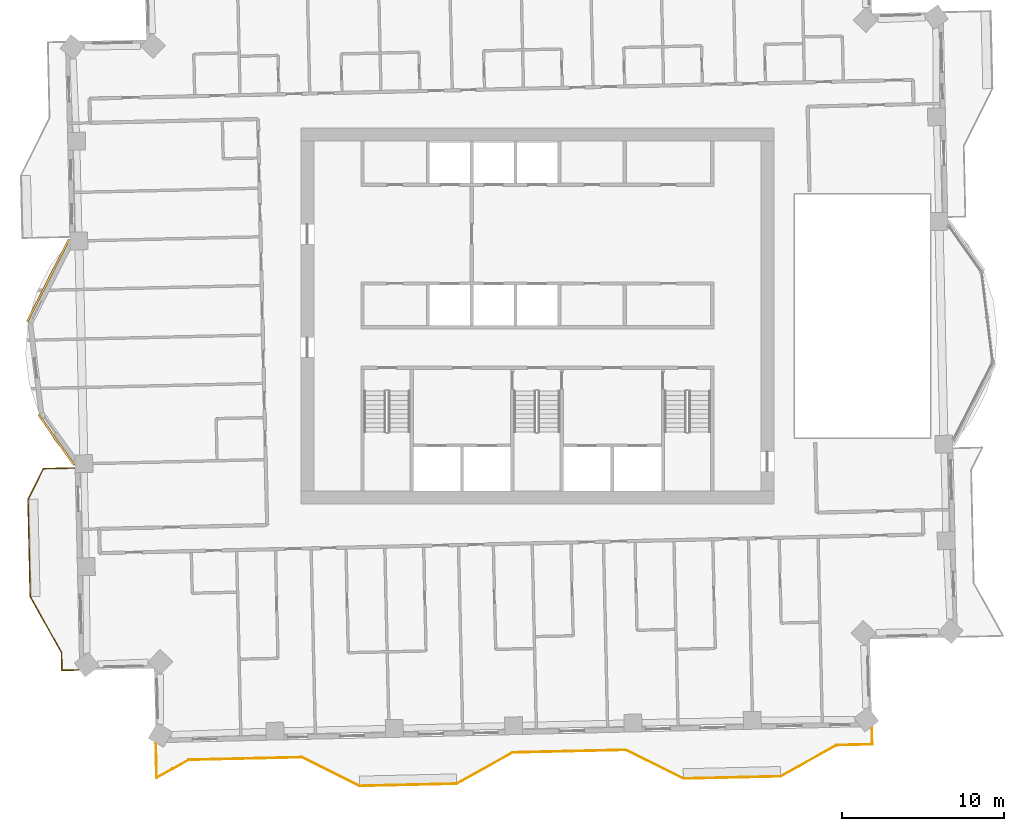
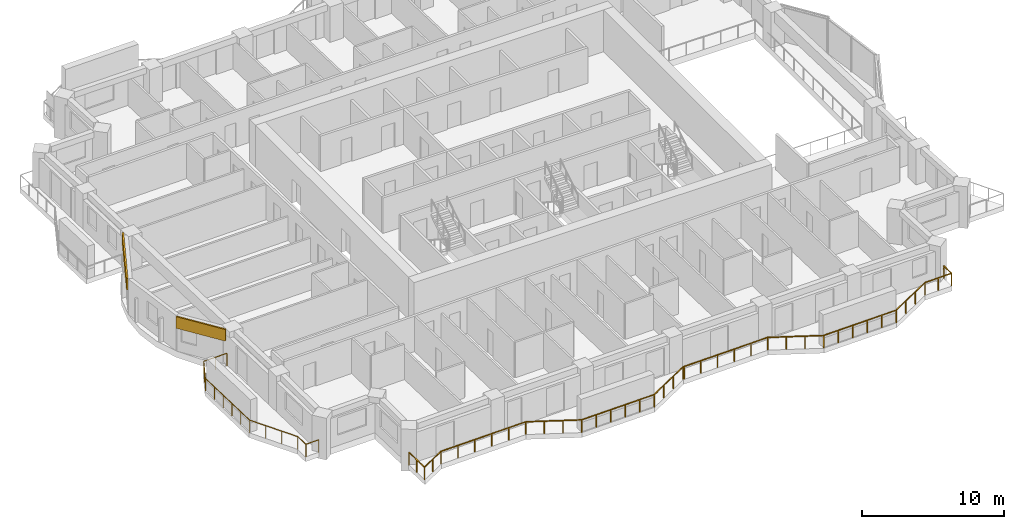
# One storey, part 14 of 17: 2 coverings, 2 railings.
"""IFC4 building model written with IfcOpenShell, lengths in metres."""

from ifc_helpers import new_model, si_unit, direction, frame, frame_2d, origin, origin_2d, place, context, subcontext, project, spatial, rectangle, extrude, material, layer, layer_set, type_object, element, save


model = new_model("IFC4")

# Units and contexts
model_context = context("Model", 3, precision=1e-05, world=origin(), true_north=direction((0.0, 1.0)))
body_context = subcontext(model_context, "Body", "Model", "MODEL_VIEW")
ifc_project = project(units=[si_unit("LENGTHUNIT", "METRE"), si_unit("AREAUNIT", "SQUARE_METRE"), si_unit("VOLUMEUNIT", "CUBIC_METRE"), si_unit("PLANEANGLEUNIT", "RADIAN"), si_unit("MASSUNIT", "GRAM", prefix="KILO")], contexts=[model_context])

# Site, building, storey
site_placement = place(None, origin())
site = spatial("IfcSite", under=ifc_project, at=site_placement, CompositionType="ELEMENT")
building_placement = place(site_placement, origin())
building = spatial("IfcBuilding", under=site, at=building_placement, Name="Mangrove Gate Tower", CompositionType="ELEMENT")
storey_placement = place(building_placement, frame((0.0, 0.0, 234.699951171875)))
storey = spatial("IfcBuildingStorey", under=building, at=storey_placement, Name="L59", CompositionType="ELEMENT", Elevation=234.699951171875)

# Railings
ifc_material_1 = material(Name="Stainless steel grade 316 with laminated glass infill", Category="steel")
railing_type = type_object("IfcRailingType", Name="Balcony guard 1100", PredefinedType="GUARDRAIL", material=ifc_material_1)
railing_1_placement = place(storey_placement, frame((-28.574951171875, -9.388916015625, 0.0)))
element("IfcRailing", 1, at=railing_1_placement, inside=storey, type_object=railing_type, Name="GUARD L59 W2", PredefinedType="GUARDRAIL", context=body_context, shape_type="SweptSolid", body=[
    extrude(rectangle(XDim=0.048095703125, YDim=0.048095703125, at=origin_2d()), frame((0.0, 0.0, 1.076171875), z_axis=(-0.999734961248, -0.023021886512, 0.0), x_axis=(0.023021886512, -0.999734961248, 0.0)), (0.0, 0.0, 1.0), 1.91943359375),
    extrude(rectangle(XDim=0.048095703125, YDim=0.048095703125, at=origin_2d()), frame((-1.9189453125, -0.044189453125, 1.076171875), z_axis=(-0.4472135955, -0.894427191, 0.0), x_axis=(0.894427191, -0.4472135955, 0.0)), (0.0, 0.0, 1.0), 2.119873046875),
    extrude(rectangle(XDim=0.048095703125, YDim=0.048095703125, at=origin_2d()), frame((-2.866943359375, -1.940185546875, 1.076171875), z_axis=(0.022663177671, -0.999743157205, 0.0), x_axis=(0.999743157205, 0.022663177671, 0.0)), (0.0, 0.0, 1.0), 6.000244140625),
    extrude(rectangle(XDim=0.048095703125, YDim=0.048095703125, at=origin_2d()), frame((-2.73095703125, -7.93896484375, 1.076171875), z_axis=(0.48726008209, -0.87325689943, 0.0), x_axis=(0.87325689943, 0.48726008209, 0.0)), (0.0, 0.0, 1.0), 3.958740234375),
    extrude(rectangle(XDim=0.048095703125, YDim=0.048095703125, at=origin_2d()), frame((-0.802001953125, -11.39599609375, 1.076171875), z_axis=(0.022630687329, -0.9997438932, 0.0), x_axis=(0.9997438932, 0.022630687329, 0.0)), (0.0, 0.0, 1.0), 1.100341796875),
    extrude(rectangle(XDim=0.048095703125, YDim=0.048095703125, at=origin_2d()), frame((-0.777099609375, -12.49609375, 1.076171875), z_axis=(0.999745389313, 0.022564497502, 0.0), x_axis=(-0.022564497502, 0.999745389313, 0.0)), (0.0, 0.0, 1.0), 1.060302734375),
    extrude(rectangle(XDim=0.0419921875, YDim=0.0419921875, at=origin_2d()), origin(), (0.0, 0.0, 1.0), 1.052001953125),
    extrude(rectangle(XDim=0.0419921875, YDim=0.0419921875, at=origin_2d()), frame((-0.95947265625, -0.02197265625, 0.0)), (0.0, 0.0, 1.0), 1.052001953125),
    extrude(rectangle(XDim=0.0419921875, YDim=0.0419921875, at=origin_2d()), frame((-1.9189453125, -0.044189453125, 0.0)), (0.0, 0.0, 1.0), 1.052001953125),
    extrude(rectangle(XDim=0.0419921875, YDim=0.0419921875, at=origin_2d()), frame((-2.39306640625, -0.9921875, 0.0)), (0.0, 0.0, 1.0), 1.052001953125),
    extrude(rectangle(XDim=0.0419921875, YDim=0.0419921875, at=origin_2d()), frame((-2.866943359375, -1.940185546875, 0.0)), (0.0, 0.0, 1.0), 1.052001953125),
    extrude(rectangle(XDim=0.0419921875, YDim=0.0419921875, at=origin_2d()), frame((-2.83984375, -3.139892578125, 0.0)), (0.0, 0.0, 1.0), 1.052001953125),
    extrude(rectangle(XDim=0.0419921875, YDim=0.0419921875, at=origin_2d()), frame((-2.8125, -4.339599609375, 0.0)), (0.0, 0.0, 1.0), 1.052001953125),
    extrude(rectangle(XDim=0.0419921875, YDim=0.0419921875, at=origin_2d()), frame((-2.785400390625, -5.53955078125, 0.0)), (0.0, 0.0, 1.0), 1.052001953125),
    extrude(rectangle(XDim=0.0419921875, YDim=0.0419921875, at=origin_2d()), frame((-2.758056640625, -6.7392578125, 0.0)), (0.0, 0.0, 1.0), 1.052001953125),
    extrude(rectangle(XDim=0.0419921875, YDim=0.0419921875, at=origin_2d()), frame((-2.73095703125, -7.93896484375, 0.0)), (0.0, 0.0, 1.0), 1.052001953125),
    extrude(rectangle(XDim=0.0419921875, YDim=0.0419921875, at=origin_2d()), frame((-2.087890625, -9.09130859375, 0.0)), (0.0, 0.0, 1.0), 1.052001953125),
    extrude(rectangle(XDim=0.0419921875, YDim=0.0419921875, at=origin_2d()), frame((-1.445068359375, -10.24365234375, 0.0)), (0.0, 0.0, 1.0), 1.052001953125),
    extrude(rectangle(XDim=0.0419921875, YDim=0.0419921875, at=origin_2d()), frame((-0.802001953125, -11.39599609375, 0.0)), (0.0, 0.0, 1.0), 1.052001953125),
    extrude(rectangle(XDim=0.0419921875, YDim=0.0419921875, at=origin_2d()), frame((-0.777099609375, -12.49609375, 0.0)), (0.0, 0.0, 1.0), 1.052001953125),
    extrude(rectangle(XDim=0.0419921875, YDim=0.0419921875, at=origin_2d()), frame((0.282958984375, -12.47216796875, 0.0)), (0.0, 0.0, 1.0), 1.052001953125),
])
railing_2_placement = place(storey_placement, frame((-23.548095703125, -26.39404296875, 0.0)))
element("IfcRailing", 2, at=railing_2_placement, inside=storey, type_object=railing_type, Name="GUARD L59 S1", PredefinedType="GUARDRAIL", context=body_context, shape_type="SweptSolid", body=[
    extrude(rectangle(XDim=0.048095703125, YDim=0.048095703125, at=origin_2d()), frame((0.0, 0.0, 1.076171875), z_axis=(0.022692622467, -0.999742489287, 0.0), x_axis=(0.999742489287, 0.022692622467, 0.0)), (0.0, 0.0, 1.0), 2.119384765625),
    extrude(rectangle(XDim=0.048095703125, YDim=0.048095703125, at=origin_2d()), frame((0.048095703125, -2.118896484375, 1.076171875), z_axis=(0.87330217406, 0.487178933025, 0.0), x_axis=(-0.487178933025, 0.87330217406, 0.0)), (0.0, 0.0, 1.0), 2.26611328125),
    extrude(rectangle(XDim=0.048095703125, YDim=0.048095703125, at=origin_2d()), frame((2.027099609375, -1.014892578125, 1.076171875), z_axis=(0.999742195543, 0.022705559911, 0.0), x_axis=(-0.022705559911, 0.999742195543, 0.0)), (0.0, 0.0, 1.0), 6.999755859375),
    extrude(rectangle(XDim=0.048095703125, YDim=0.048095703125, at=origin_2d()), frame((9.025146484375, -0.85595703125, 1.076171875), z_axis=(0.894476522376, -0.447114919141, 0.0), x_axis=(0.447114919141, 0.894476522376, 0.0)), (0.0, 0.0, 1.0), 3.958740234375),
    extrude(rectangle(XDim=0.048095703125, YDim=0.048095703125, at=origin_2d()), frame((12.566162109375, -2.6259765625, 1.076171875), z_axis=(0.999743178102, 0.022662255828, 0.0), x_axis=(-0.022662255828, 0.999743178102, 0.0)), (0.0, 0.0, 1.0), 6.00048828125),
    extrude(rectangle(XDim=0.048095703125, YDim=0.048095703125, at=origin_2d()), frame((18.565185546875, -2.489990234375, 1.076171875), z_axis=(0.87325689943, 0.48726008209, 0.0), x_axis=(-0.48726008209, 0.87325689943, 0.0)), (0.0, 0.0, 1.0), 3.958740234375),
    extrude(rectangle(XDim=0.048095703125, YDim=0.048095703125, at=origin_2d()), frame((22.022216796875, -0.56103515625, 1.076171875), z_axis=(0.999757980297, 0.021999564359, 0.0), x_axis=(-0.021999564359, 0.999757980297, 0.0)), (0.0, 0.0, 1.0), 0.099853515625),
    extrude(rectangle(XDim=0.048095703125, YDim=0.048095703125, at=origin_2d()), frame((22.1220703125, -0.558837890625, 1.076171875), z_axis=(0.999741140915, 0.022751948524, 0.0), x_axis=(-0.022751948524, 0.999741140915, 0.0)), (0.0, 0.0, 1.0), 6.899658203125),
    extrude(rectangle(XDim=0.048095703125, YDim=0.048095703125, at=origin_2d()), frame((29.02001953125, -0.40185546875, 1.076171875), z_axis=(0.894476522376, -0.447114919141, 0.0), x_axis=(0.447114919141, 0.894476522376, 0.0)), (0.0, 0.0, 1.0), 3.958740234375),
    extrude(rectangle(XDim=0.048095703125, YDim=0.048095703125, at=origin_2d()), frame((32.56103515625, -2.171875, 1.076171875), z_axis=(0.999743178102, 0.022662255828, 0.0), x_axis=(-0.022662255828, 0.999743178102, 0.0)), (0.0, 0.0, 1.0), 6.00048828125),
    extrude(rectangle(XDim=0.048095703125, YDim=0.048095703125, at=origin_2d()), frame((38.56005859375, -2.035888671875, 1.076171875), z_axis=(0.87325689943, 0.48726008209, 0.0), x_axis=(-0.48726008209, 0.87325689943, 0.0)), (0.0, 0.0, 1.0), 3.958740234375),
    extrude(rectangle(XDim=0.048095703125, YDim=0.048095703125, at=origin_2d()), frame((42.01708984375, -0.10693359375, 1.076171875), z_axis=(0.999742064275, 0.022711339004, 0.0), x_axis=(-0.022711339004, 0.999742064275, 0.0)), (0.0, 0.0, 1.0), 2.20361328125),
    extrude(rectangle(XDim=0.048095703125, YDim=0.048095703125, at=origin_2d()), frame((44.22021484375, -0.056884765625, 1.076171875), z_axis=(-0.022799876723, 0.999740049023, 0.0), x_axis=(-0.999740049023, -0.022799876723, 0.0)), (0.0, 0.0, 1.0), 1.06005859375),
    extrude(rectangle(XDim=0.0419921875, YDim=0.0419921875, at=origin_2d()), origin(), (0.0, 0.0, 1.0), 1.052001953125),
    extrude(rectangle(XDim=0.0419921875, YDim=0.0419921875, at=origin_2d()), frame((0.02392578125, -1.0595703125, 0.0)), (0.0, 0.0, 1.0), 1.052001953125),
    extrude(rectangle(XDim=0.0419921875, YDim=0.0419921875, at=origin_2d()), frame((0.048095703125, -2.118896484375, 0.0)), (0.0, 0.0, 1.0), 1.052001953125),
    extrude(rectangle(XDim=0.0419921875, YDim=0.0419921875, at=origin_2d()), frame((1.03759765625, -1.56689453125, 0.0)), (0.0, 0.0, 1.0), 1.052001953125),
    extrude(rectangle(XDim=0.0419921875, YDim=0.0419921875, at=origin_2d()), frame((2.027099609375, -1.014892578125, 0.0)), (0.0, 0.0, 1.0), 1.052001953125),
    extrude(rectangle(XDim=0.0419921875, YDim=0.0419921875, at=origin_2d()), frame((3.4267578125, -0.983154296875, 0.0)), (0.0, 0.0, 1.0), 1.052001953125),
    extrude(rectangle(XDim=0.0419921875, YDim=0.0419921875, at=origin_2d()), frame((4.826416015625, -0.951416015625, 0.0)), (0.0, 0.0, 1.0), 1.052001953125),
    extrude(rectangle(XDim=0.0419921875, YDim=0.0419921875, at=origin_2d()), frame((6.225830078125, -0.91943359375, 0.0)), (0.0, 0.0, 1.0), 1.052001953125),
    extrude(rectangle(XDim=0.0419921875, YDim=0.0419921875, at=origin_2d()), frame((7.62548828125, -0.8876953125, 0.0)), (0.0, 0.0, 1.0), 1.052001953125),
    extrude(rectangle(XDim=0.0419921875, YDim=0.0419921875, at=origin_2d()), frame((9.025146484375, -0.85595703125, 0.0)), (0.0, 0.0, 1.0), 1.052001953125),
    extrude(rectangle(XDim=0.0419921875, YDim=0.0419921875, at=origin_2d()), frame((10.20556640625, -1.446044921875, 0.0)), (0.0, 0.0, 1.0), 1.052001953125),
    extrude(rectangle(XDim=0.0419921875, YDim=0.0419921875, at=origin_2d()), frame((11.3857421875, -2.035888671875, 0.0)), (0.0, 0.0, 1.0), 1.052001953125),
    extrude(rectangle(XDim=0.0419921875, YDim=0.0419921875, at=origin_2d()), frame((12.566162109375, -2.6259765625, 0.0)), (0.0, 0.0, 1.0), 1.052001953125),
    extrude(rectangle(XDim=0.0419921875, YDim=0.0419921875, at=origin_2d()), frame((13.765869140625, -2.598876953125, 0.0)), (0.0, 0.0, 1.0), 1.052001953125),
    extrude(rectangle(XDim=0.0419921875, YDim=0.0419921875, at=origin_2d()), frame((14.9658203125, -2.571533203125, 0.0)), (0.0, 0.0, 1.0), 1.052001953125),
    extrude(rectangle(XDim=0.0419921875, YDim=0.0419921875, at=origin_2d()), frame((16.16552734375, -2.54443359375, 0.0)), (0.0, 0.0, 1.0), 1.052001953125),
    extrude(rectangle(XDim=0.0419921875, YDim=0.0419921875, at=origin_2d()), frame((17.365478515625, -2.51708984375, 0.0)), (0.0, 0.0, 1.0), 1.052001953125),
    extrude(rectangle(XDim=0.0419921875, YDim=0.0419921875, at=origin_2d()), frame((18.565185546875, -2.489990234375, 0.0)), (0.0, 0.0, 1.0), 1.052001953125),
    extrude(rectangle(XDim=0.0419921875, YDim=0.0419921875, at=origin_2d()), frame((19.717529296875, -1.846923828125, 0.0)), (0.0, 0.0, 1.0), 1.052001953125),
    extrude(rectangle(XDim=0.0419921875, YDim=0.0419921875, at=origin_2d()), frame((20.869873046875, -1.2041015625, 0.0)), (0.0, 0.0, 1.0), 1.052001953125),
    extrude(rectangle(XDim=0.0419921875, YDim=0.0419921875, at=origin_2d()), frame((22.022216796875, -0.56103515625, 0.0)), (0.0, 0.0, 1.0), 1.052001953125),
    extrude(rectangle(XDim=0.0419921875, YDim=0.0419921875, at=origin_2d()), frame((22.1220703125, -0.558837890625, 0.0)), (0.0, 0.0, 1.0), 1.052001953125),
    extrude(rectangle(XDim=0.0419921875, YDim=0.0419921875, at=origin_2d()), frame((23.501708984375, -0.52734375, 0.0)), (0.0, 0.0, 1.0), 1.052001953125),
    extrude(rectangle(XDim=0.0419921875, YDim=0.0419921875, at=origin_2d()), frame((24.88134765625, -0.49609375, 0.0)), (0.0, 0.0, 1.0), 1.052001953125),
    extrude(rectangle(XDim=0.0419921875, YDim=0.0419921875, at=origin_2d()), frame((26.2607421875, -0.464599609375, 0.0)), (0.0, 0.0, 1.0), 1.052001953125),
    extrude(rectangle(XDim=0.0419921875, YDim=0.0419921875, at=origin_2d()), frame((27.640380859375, -0.433349609375, 0.0)), (0.0, 0.0, 1.0), 1.052001953125),
    extrude(rectangle(XDim=0.0419921875, YDim=0.0419921875, at=origin_2d()), frame((29.02001953125, -0.40185546875, 0.0)), (0.0, 0.0, 1.0), 1.052001953125),
    extrude(rectangle(XDim=0.0419921875, YDim=0.0419921875, at=origin_2d()), frame((30.200439453125, -0.991943359375, 0.0)), (0.0, 0.0, 1.0), 1.052001953125),
    extrude(rectangle(XDim=0.0419921875, YDim=0.0419921875, at=origin_2d()), frame((31.380615234375, -1.581787109375, 0.0)), (0.0, 0.0, 1.0), 1.052001953125),
    extrude(rectangle(XDim=0.0419921875, YDim=0.0419921875, at=origin_2d()), frame((32.56103515625, -2.171875, 0.0)), (0.0, 0.0, 1.0), 1.052001953125),
    extrude(rectangle(XDim=0.0419921875, YDim=0.0419921875, at=origin_2d()), frame((33.7607421875, -2.144775390625, 0.0)), (0.0, 0.0, 1.0), 1.052001953125),
    extrude(rectangle(XDim=0.0419921875, YDim=0.0419921875, at=origin_2d()), frame((34.960693359375, -2.117431640625, 0.0)), (0.0, 0.0, 1.0), 1.052001953125),
    extrude(rectangle(XDim=0.0419921875, YDim=0.0419921875, at=origin_2d()), frame((36.160400390625, -2.09033203125, 0.0)), (0.0, 0.0, 1.0), 1.052001953125),
    extrude(rectangle(XDim=0.0419921875, YDim=0.0419921875, at=origin_2d()), frame((37.3603515625, -2.06298828125, 0.0)), (0.0, 0.0, 1.0), 1.052001953125),
    extrude(rectangle(XDim=0.0419921875, YDim=0.0419921875, at=origin_2d()), frame((38.56005859375, -2.035888671875, 0.0)), (0.0, 0.0, 1.0), 1.052001953125),
    extrude(rectangle(XDim=0.0419921875, YDim=0.0419921875, at=origin_2d()), frame((39.71240234375, -1.392822265625, 0.0)), (0.0, 0.0, 1.0), 1.052001953125),
    extrude(rectangle(XDim=0.0419921875, YDim=0.0419921875, at=origin_2d()), frame((40.86474609375, -0.75, 0.0)), (0.0, 0.0, 1.0), 1.052001953125),
    extrude(rectangle(XDim=0.0419921875, YDim=0.0419921875, at=origin_2d()), frame((42.01708984375, -0.10693359375, 0.0)), (0.0, 0.0, 1.0), 1.052001953125),
    extrude(rectangle(XDim=0.0419921875, YDim=0.0419921875, at=origin_2d()), frame((43.11865234375, -0.08203125, 0.0)), (0.0, 0.0, 1.0), 1.052001953125),
    extrude(rectangle(XDim=0.0419921875, YDim=0.0419921875, at=origin_2d()), frame((44.22021484375, -0.056884765625, 0.0)), (0.0, 0.0, 1.0), 1.052001953125),
    extrude(rectangle(XDim=0.0419921875, YDim=0.0419921875, at=origin_2d()), frame((44.196044921875, 1.0029296875, 0.0)), (0.0, 0.0, 1.0), 1.052001953125),
])

# Coverings
ifc_material_2 = material(Name="Limestone", Category="masonry")
ifc_layer_1 = layer(ifc_material_2, 0.0400390625, Name="Limestone cladding")
ifc_material_3 = material(Name="Stainless steel anchors and cavity", Category="steel")
ifc_layer_2 = layer(ifc_material_3, 0.080078125, Name="Fixing cavity")
ifc_layer_set = layer_set([ifc_layer_1, ifc_layer_2], Name="Joint fascia cladding 120")
covering_type = type_object("IfcCoveringType", Name="Joint fascia cladding 120", PredefinedType="CLADDING", material=ifc_layer_set)
covering_1_placement = place(storey_placement, frame((-28.906494140625, 4.731201171875, 2.050048828125), z_axis=(0.0, 0.0, 1.0), x_axis=(-0.452598640191, -0.891714343777, 0.0)))
element("IfcCovering", 3, at=covering_1_placement, inside=storey, type_object=covering_type, Name="STONE FASCIA L59 W9.L1", PredefinedType="CLADDING", context=body_context, shape_type="SweptSolid", body=[
    extrude(rectangle(XDim=5.703857421875, YDim=0.1201171875, at=frame_2d((2.85205078125, 0.0))), origin(), (0.0, 0.0, 1.0), 1.0),
])
covering_2_placement = place(storey_placement, frame((-30.791015625, -6.10302734375, 2.050048828125), z_axis=(0.0, 0.0, 1.0), x_axis=(0.578168098379, -0.815917673553, 0.0)))
element("IfcCovering", 4, at=covering_2_placement, inside=storey, type_object=covering_type, Name="STONE FASCIA L59 W9.L2", PredefinedType="CLADDING", context=body_context, shape_type="SweptSolid", body=[
    extrude(rectangle(XDim=3.819091796875, YDim=0.1201171875, at=frame_2d((1.90966796875, 0.0))), origin(), (0.0, 0.0, 1.0), 1.0),
])

save(model, "model.ifc")
